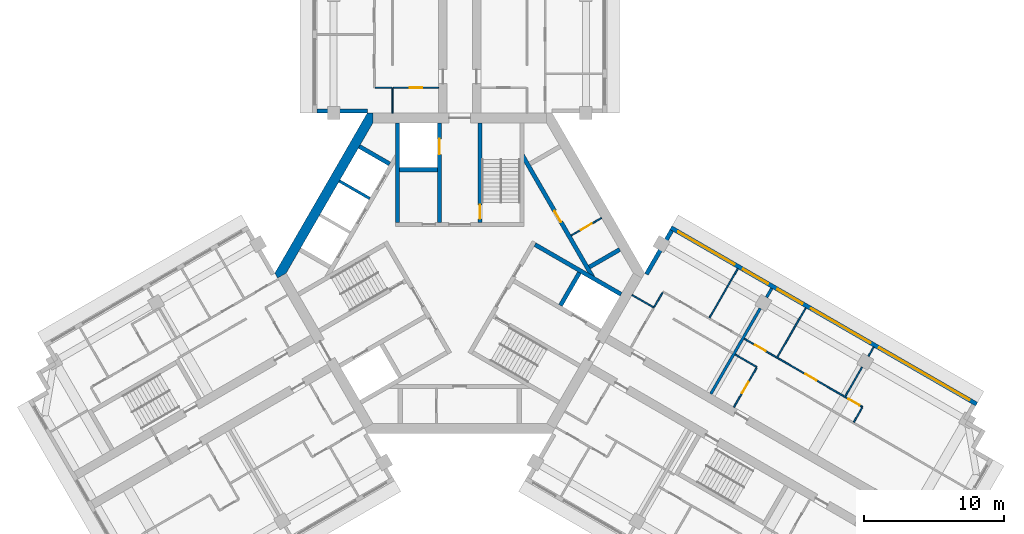
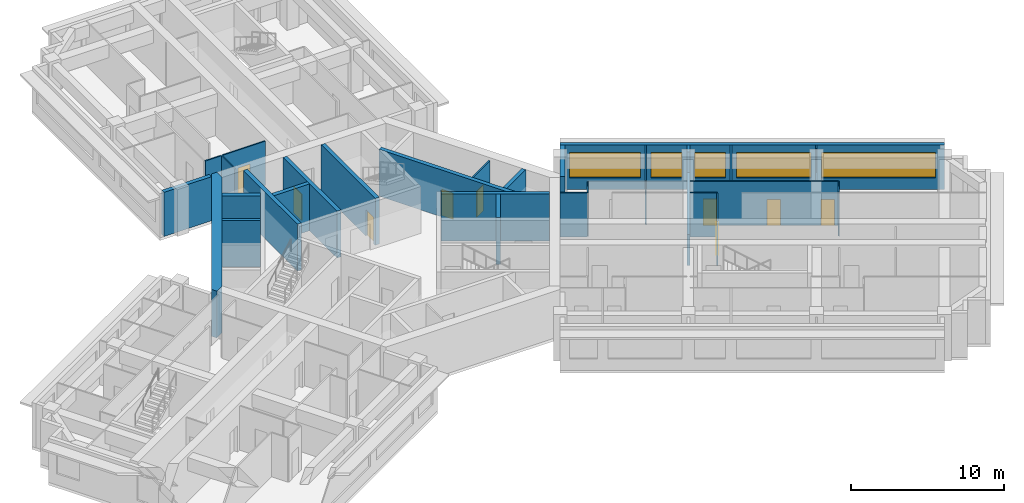
# One storey, part 6 of 10: 30 walls, 9 doors, 5 windows, 14 openings.
"""IFC4 building model written with IfcOpenShell, lengths in metres."""

from ifc_helpers import new_model, si_unit, direction, frame, frame_2d, origin, place, context, subcontext, project, spatial, polyline, rectangle, outline, extrude, material, layer, layer_set, type_object, element, fill, save


model = new_model("IFC4")

# Units and contexts
model_context = context("Model", 3, precision=1e-05, world=origin(), true_north=direction((0.0, 1.0)))
body_context = subcontext(model_context, "Body", "Model", "MODEL_VIEW")
ifc_project = project(units=[si_unit("LENGTHUNIT", "METRE"), si_unit("AREAUNIT", "SQUARE_METRE"), si_unit("VOLUMEUNIT", "CUBIC_METRE"), si_unit("PLANEANGLEUNIT", "RADIAN"), si_unit("MASSUNIT", "GRAM", prefix="KILO")], contexts=[model_context])

# Site, building, storey
site_placement = place(None, origin())
site = spatial("IfcSite", under=ifc_project, at=site_placement, CompositionType="ELEMENT")
building_placement = place(site_placement, origin())
building = spatial("IfcBuilding", under=site, at=building_placement, Name="Impinga Residences", CompositionType="ELEMENT")
storey_placement = place(building_placement, frame((0.0, 0.0, 222.25)))
storey = spatial("IfcBuildingStorey", under=building, at=storey_placement, Name="L55", CompositionType="ELEMENT", Elevation=222.25)

# Wall, opening, door
ifc_material_1 = material(Name="Concrete blockwork", Category="masonry")
ifc_layer_1 = layer(ifc_material_1, 0.10009765625)
ifc_layer_set_1 = layer_set([ifc_layer_1], Name="CP1 core room partition, blockwork 100")
wall_type_1 = type_object("IfcWallType", Name="CP1 core room partition, blockwork 100", PredefinedType="PARTITIONING", material=ifc_layer_set_1)
wall_1_placement = place(storey_placement, frame((7.95361328125, 2.686767578125, 0.0), z_axis=(0.0, 0.0, 1.0), x_axis=(0.866047370643, 0.499961950354, 0.0)))
wall_1 = element("IfcWall", 1, at=wall_1_placement, inside=storey, type_object=wall_type_1, Name="Core room partition, blockwork L55:CORE:mid:ZP1", PredefinedType="PARTITIONING", context=body_context, shape_type="SweptSolid", body=[
    extrude(rectangle(XDim=2.500244140625, YDim=0.10009765625, at=frame_2d((1.25, 0.0))), origin(), (0.0, 0.0, 1.0), 3.530029296875),
])
opening_1_placement = place(wall_1_placement, frame((0.800048828125, 0.0, 0.0)))
opening_1 = element("IfcOpeningElement", 2, at=opening_1_placement, cuts=wall_1, Name="Opening D6", PredefinedType="OPENING", context=body_context, shape_type="SweptSolid", body=[
    extrude(rectangle(XDim=0.89990234375, YDim=2.10009765625, at=frame_2d((0.449951171875, 1.050048828125))), frame((0.0, 0.06005859375, 0.0), z_axis=(0.0, -1.0, 0.0), x_axis=(1.0, 0.0, 0.0)), (0.0, 0.0, 1.0), 0.1201171875),
])
ifc_material_2 = material(Name="Timber door set", Category="wood")
door_type_1 = type_object("IfcDoorType", Name="D6 riser and store door 900x2100", OperationType="SINGLE_SWING_LEFT", PredefinedType="DOOR", material=ifc_material_2)
door_1_placement = place(opening_1_placement, origin())
door_1 = element("IfcDoor", 3, at=door_1_placement, inside=storey, type_object=door_type_1, Name="Linen store door", OperationType="SINGLE_SWING_LEFT", OverallHeight=2.10009765625, OverallWidth=0.89990234375, PredefinedType="DOOR", context=body_context, shape_type="SweptSolid", body=[
    extrude(rectangle(XDim=0.89990234375, YDim=2.10009765625, at=frame_2d((0.449951171875, 1.050048828125))), frame((0.0, 0.02490234375, 0.0), z_axis=(0.0, -1.0, 0.0), x_axis=(1.0, 0.0, 0.0)), (0.0, 0.0, 1.0), 0.050048828125),
])
fill(opening_1, door_1)

# Walls
ifc_material_3 = material(Name="Terracotta rainscreen on blockwork", Category="masonry")
ifc_layer_2 = layer(ifc_material_3, 0.300048828125)
ifc_layer_set_2 = layer_set([ifc_layer_2], Name="EW1 external wall, terracotta rainscreen on blockwork 300")
wall_type_2 = type_object("IfcWallType", Name="EW1 external wall, terracotta rainscreen on blockwork 300", PredefinedType="SOLIDWALL", material=ifc_layer_set_2)
wall_2_placement = place(storey_placement, frame((-6.60009765625, 11.58154296875, 0.0), z_axis=(0.0, 0.0, 1.0), x_axis=(-1.0, 0.0, 0.0)))
element("IfcWall", 4, at=wall_2_placement, inside=storey, type_object=wall_type_2, Name="External wall EW1 L55", PredefinedType="SOLIDWALL", context=body_context, shape_type="SweptSolid", body=[
    extrude(rectangle(XDim=3.599853515625, YDim=0.300048828125, at=frame_2d((1.7998046875, 0.0))), origin(), (0.0, 0.0, 1.0), 3.530029296875),
])
wall_3_placement = place(storey_placement, frame((13.329833984375, -0.074951171875, 0.0), z_axis=(0.0, 0.0, 1.0), x_axis=(0.500012057535, 0.866018442252, 0.0)))
element("IfcWall", 5, at=wall_3_placement, inside=storey, type_object=wall_type_2, Name="External wall EW1 L55", PredefinedType="SOLIDWALL", context=body_context, shape_type="SweptSolid", body=[
    extrude(rectangle(XDim=3.60009765625, YDim=0.300048828125, at=frame_2d((1.800048828125, 0.0))), origin(), (0.0, 0.0, 1.0), 3.530029296875),
])

# Wall, openings, windows
wall_4_placement = place(storey_placement, frame((15.074951171875, 3.24755859375, 0.0), z_axis=(0.0, 0.0, 1.0), x_axis=(0.86602925447, -0.499993330357, 0.0)))
wall_4 = element("IfcWall", 6, at=wall_4_placement, inside=storey, type_object=wall_type_2, Name="External wall EW1 L55", PredefinedType="SOLIDWALL", context=body_context, shape_type="SweptSolid", body=[
    extrude(rectangle(XDim=25.199951171875, YDim=0.300048828125, at=frame_2d((12.60009765625, 0.0))), origin(), (0.0, 0.0, 1.0), 3.530029296875),
])
opening_2_placement = place(wall_4_placement, frame((0.60009765625, 0.0, 0.89990234375)))
opening_2 = element("IfcOpeningElement", 7, at=opening_2_placement, cuts=wall_4, Name="Opening W10", PredefinedType="OPENING", context=body_context, shape_type="SweptSolid", body=[
    extrude(rectangle(XDim=4.64990234375, YDim=2.050048828125, at=frame_2d((2.324951171875, 1.02490234375))), frame((0.0, 0.159912109375, 0.0), z_axis=(0.0, -1.0, 0.0), x_axis=(1.0, 0.0, 0.0)), (0.0, 0.0, 1.0), 0.320068359375),
])
opening_3_placement = place(wall_4_placement, frame((5.949951171875, 0.0, 0.89990234375)))
opening_3 = element("IfcOpeningElement", 8, at=opening_3_placement, cuts=wall_4, Name="Opening W14", PredefinedType="OPENING", context=body_context, shape_type="SweptSolid", body=[
    extrude(rectangle(XDim=2.050048828125, YDim=2.050048828125, at=frame_2d((1.02490234375, 1.02490234375))), frame((0.0, 0.159912109375, 0.0), z_axis=(0.0, -1.0, 0.0), x_axis=(1.0, 0.0, 0.0)), (0.0, 0.0, 1.0), 0.320068359375),
])
opening_4_placement = place(wall_4_placement, frame((8.800048828125, 0.0, 0.89990234375)))
opening_4 = element("IfcOpeningElement", 9, at=opening_4_placement, cuts=wall_4, Name="Opening W14", PredefinedType="OPENING", context=body_context, shape_type="SweptSolid", body=[
    extrude(rectangle(XDim=2.050048828125, YDim=2.050048828125, at=frame_2d((1.02490234375, 1.02490234375))), frame((0.0, 0.159912109375, 0.0), z_axis=(0.0, -1.0, 0.0), x_axis=(1.0, 0.0, 0.0)), (0.0, 0.0, 1.0), 0.320068359375),
])
opening_5_placement = place(wall_4_placement, frame((11.550048828125, 0.0, 0.89990234375)))
opening_5 = element("IfcOpeningElement", 10, at=opening_5_placement, cuts=wall_4, Name="Opening W16", PredefinedType="OPENING", context=body_context, shape_type="SweptSolid", body=[
    extrude(rectangle(XDim=4.89990234375, YDim=2.050048828125, at=frame_2d((2.449951171875, 1.02490234375))), frame((0.0, 0.159912109375, 0.0), z_axis=(0.0, -1.0, 0.0), x_axis=(1.0, 0.0, 0.0)), (0.0, 0.0, 1.0), 0.320068359375),
])
opening_6_placement = place(wall_4_placement, frame((17.14990234375, 0.0, 0.89990234375)))
opening_6 = element("IfcOpeningElement", 11, at=opening_6_placement, cuts=wall_4, Name="Opening W7", PredefinedType="OPENING", context=body_context, shape_type="SweptSolid", body=[
    extrude(rectangle(XDim=7.449951171875, YDim=2.050048828125, at=frame_2d((3.72509765625, 1.02490234375))), frame((0.0, 0.159912109375, 0.0), z_axis=(0.0, -1.0, 0.0), x_axis=(1.0, 0.0, 0.0)), (0.0, 0.0, 1.0), 0.320068359375),
])
ifc_material_4 = material(Name="Aluminium window, clear double glazing", Category="aluminium")
window_type_1 = type_object("IfcWindowType", Name="W10 ribbon window 4650x2050", PartitioningType="SINGLE_PANEL", PredefinedType="WINDOW", material=ifc_material_4)
window_1_placement = place(opening_2_placement, origin())
window_1 = element("IfcWindow", 12, at=window_1_placement, inside=storey, type_object=window_type_1, Name="Window L55", OverallHeight=2.050048828125, OverallWidth=4.64990234375, PartitioningType="SINGLE_PANEL", PredefinedType="WINDOW", context=body_context, shape_type="SweptSolid", body=[
    extrude(rectangle(XDim=4.64990234375, YDim=2.050048828125, at=frame_2d((2.324951171875, 1.02490234375))), frame((0.0, 0.030029296875, 0.0), z_axis=(0.0, -1.0, 0.0), x_axis=(1.0, 0.0, 0.0)), (0.0, 0.0, 1.0), 0.06005859375),
])
fill(opening_2, window_1)
window_type_2 = type_object("IfcWindowType", Name="W14 ribbon window 2050x2050", PartitioningType="SINGLE_PANEL", PredefinedType="WINDOW", material=ifc_material_4)
window_2_placement = place(opening_3_placement, origin())
window_2 = element("IfcWindow", 13, at=window_2_placement, inside=storey, type_object=window_type_2, Name="Window L55", OverallHeight=2.050048828125, OverallWidth=2.050048828125, PartitioningType="SINGLE_PANEL", PredefinedType="WINDOW", context=body_context, shape_type="SweptSolid", body=[
    extrude(rectangle(XDim=2.050048828125, YDim=2.050048828125, at=frame_2d((1.02490234375, 1.02490234375))), frame((0.0, 0.030029296875, 0.0), z_axis=(0.0, -1.0, 0.0), x_axis=(1.0, 0.0, 0.0)), (0.0, 0.0, 1.0), 0.06005859375),
])
fill(opening_3, window_2)
window_3_placement = place(opening_4_placement, origin())
window_3 = element("IfcWindow", 14, at=window_3_placement, inside=storey, type_object=window_type_2, Name="Window L55", OverallHeight=2.050048828125, OverallWidth=2.050048828125, PartitioningType="SINGLE_PANEL", PredefinedType="WINDOW", context=body_context, shape_type="SweptSolid", body=[
    extrude(rectangle(XDim=2.050048828125, YDim=2.050048828125, at=frame_2d((1.02490234375, 1.02490234375))), frame((0.0, 0.030029296875, 0.0), z_axis=(0.0, -1.0, 0.0), x_axis=(1.0, 0.0, 0.0)), (0.0, 0.0, 1.0), 0.06005859375),
])
fill(opening_4, window_3)
window_type_3 = type_object("IfcWindowType", Name="W16 ribbon window 4900x2050", PartitioningType="SINGLE_PANEL", PredefinedType="WINDOW", material=ifc_material_4)
window_4_placement = place(opening_5_placement, origin())
window_4 = element("IfcWindow", 15, at=window_4_placement, inside=storey, type_object=window_type_3, Name="Window L55", OverallHeight=2.050048828125, OverallWidth=4.89990234375, PartitioningType="SINGLE_PANEL", PredefinedType="WINDOW", context=body_context, shape_type="SweptSolid", body=[
    extrude(rectangle(XDim=4.89990234375, YDim=2.050048828125, at=frame_2d((2.449951171875, 1.02490234375))), frame((0.0, 0.030029296875, 0.0), z_axis=(0.0, -1.0, 0.0), x_axis=(1.0, 0.0, 0.0)), (0.0, 0.0, 1.0), 0.06005859375),
])
fill(opening_5, window_4)
window_type_4 = type_object("IfcWindowType", Name="W7 ribbon window 7450x2050", PartitioningType="SINGLE_PANEL", PredefinedType="WINDOW", material=ifc_material_4)
window_5_placement = place(opening_6_placement, origin())
window_5 = element("IfcWindow", 16, at=window_5_placement, inside=storey, type_object=window_type_4, Name="Window L55", OverallHeight=2.050048828125, OverallWidth=7.449951171875, PartitioningType="SINGLE_PANEL", PredefinedType="WINDOW", context=body_context, shape_type="SweptSolid", body=[
    extrude(rectangle(XDim=7.449951171875, YDim=2.050048828125, at=frame_2d((3.72509765625, 1.02490234375))), frame((0.0, 0.030029296875, 0.0), z_axis=(0.0, -1.0, 0.0), x_axis=(1.0, 0.0, 0.0)), (0.0, 0.0, 1.0), 0.06005859375),
])
fill(opening_6, window_5)

# Walls
ifc_material_5 = material(Name="Gypsum board on steel studs", Category="steel")
ifc_layer_3 = layer(ifc_material_5, 0.10009765625)
ifc_layer_set_3 = layer_set([ifc_layer_3], Name="Gypsum board on steel studs")
wall_type_3 = type_object("IfcWallType", Name="IP1 partition 100", PredefinedType="PARTITIONING", material=ifc_layer_set_3)
wall_5_placement = place(storey_placement, frame((-4.800048828125, 11.431640625, 0.0), z_axis=(0.0, 0.0, 1.0), x_axis=(0.0, 1.0, 0.0)))
element("IfcWall", 17, at=wall_5_placement, inside=storey, type_object=wall_type_3, Name="Partition L55-NA1:DIV0", PredefinedType="PARTITIONING", context=body_context, shape_type="SweptSolid", body=[
    extrude(rectangle(XDim=1.7998046875, YDim=0.10009765625, at=frame_2d((0.89990234375, 0.0))), origin(), (0.0, 0.0, 1.0), 3.530029296875),
])
wall_6_placement = place(storey_placement, frame((-4.85009765625, 13.2314453125, 0.0), z_axis=(0.0, 0.0, 1.0), x_axis=(-1.0, 0.0, 0.0)))
element("IfcWall", 18, at=wall_6_placement, inside=storey, type_object=wall_type_3, Name="Partition L55-NA1:SE0", PredefinedType="PARTITIONING", context=body_context, shape_type="SweptSolid", body=[
    extrude(rectangle(XDim=1.199951171875, YDim=0.10009765625, at=frame_2d((0.60009765625, 0.0))), origin(), (0.0, 0.0, 1.0), 3.530029296875),
])

# Wall, opening, door
wall_7_placement = place(storey_placement, frame((-1.5, 13.2314453125, 0.0), z_axis=(0.0, 0.0, 1.0), x_axis=(-1.0, 0.0, 0.0)))
wall_7 = element("IfcWall", 19, at=wall_7_placement, inside=storey, type_object=wall_type_3, Name="Partition L55-NA1:IB1", PredefinedType="PARTITIONING", context=body_context, shape_type="SweptSolid", body=[
    extrude(rectangle(XDim=3.25, YDim=0.10009765625, at=frame_2d((1.625, 0.0))), origin(), (0.0, 0.0, 1.0), 3.530029296875),
])
opening_7_placement = place(wall_7_placement, frame((1.175048828125, 0.0, 0.0)))
opening_7 = element("IfcOpeningElement", 20, at=opening_7_placement, cuts=wall_7, Name="Opening D2", PredefinedType="OPENING", context=body_context, shape_type="SweptSolid", body=[
    extrude(rectangle(XDim=0.89990234375, YDim=2.10009765625, at=frame_2d((0.449951171875, 1.050048828125))), frame((0.0, 0.06005859375, 0.0), z_axis=(0.0, -1.0, 0.0), x_axis=(1.0, 0.0, 0.0)), (0.0, 0.0, 1.0), 0.1201171875),
])
door_type_2 = type_object("IfcDoorType", Name="D2 internal door 900x2100", OperationType="SINGLE_SWING_LEFT", PredefinedType="DOOR", material=ifc_material_2)
door_2_placement = place(opening_7_placement, origin())
door_2 = element("IfcDoor", 21, at=door_2_placement, inside=storey, type_object=door_type_2, Name="Apartment L55-NA1 bathroom door", OperationType="SINGLE_SWING_LEFT", OverallHeight=2.10009765625, OverallWidth=0.89990234375, PredefinedType="DOOR", context=body_context, shape_type="SweptSolid", body=[
    extrude(rectangle(XDim=0.89990234375, YDim=2.10009765625, at=frame_2d((0.449951171875, 1.050048828125))), frame((0.0, 0.02490234375, 0.0), z_axis=(0.0, -1.0, 0.0), x_axis=(1.0, 0.0, 0.0)), (0.0, 0.0, 1.0), 0.050048828125),
])
fill(opening_7, door_2)

# Walls
wall_8_placement = place(storey_placement, frame((12.300048828125, -1.558837890625, 0.0), z_axis=(0.0, 0.0, 1.0), x_axis=(0.866047807691, -0.499961193289, 0.0)))
element("IfcWall", 22, at=wall_8_placement, inside=storey, type_object=wall_type_3, Name="Partition L55-EA1:DIV0", PredefinedType="PARTITIONING", context=body_context, shape_type="SweptSolid", body=[
    extrude(rectangle(XDim=1.800048828125, YDim=0.10009765625, at=frame_2d((0.89990234375, 0.0))), origin(), (0.0, 0.0, 1.0), 3.530029296875),
])
wall_9_placement = place(storey_placement, frame((13.8837890625, -2.41552734375, 0.0), z_axis=(0.0, 0.0, 1.0), x_axis=(0.500033551112, 0.866006032174, 0.0)))
element("IfcWall", 23, at=wall_9_placement, inside=storey, type_object=wall_type_3, Name="Partition L55-EA1:SE0", PredefinedType="PARTITIONING", context=body_context, shape_type="SweptSolid", body=[
    extrude(rectangle(XDim=1.2001953125, YDim=0.10009765625, at=frame_2d((0.60009765625, 0.0))), origin(), (0.0, 0.0, 1.0), 3.530029296875),
])
wall_10_placement = place(storey_placement, frame((17.82470703125, -3.189697265625, 0.0), z_axis=(0.0, 0.0, 1.0), x_axis=(0.500035537042, 0.866004885491, 0.0)))
element("IfcWall", 24, at=wall_10_placement, inside=storey, type_object=wall_type_3, Name="Partition L55-EA1:OB1", PredefinedType="PARTITIONING", context=body_context, shape_type="SweptSolid", body=[
    extrude(rectangle(XDim=4.050048828125, YDim=0.10009765625, at=frame_2d((2.02490234375, 0.0))), origin(), (0.0, 0.0, 1.0), 3.530029296875),
])
wall_11_placement = place(storey_placement, frame((19.6611328125, -5.808837890625, 0.0), z_axis=(0.0, 0.0, 1.0), x_axis=(0.866047807691, -0.499961193289, 0.0)))
element("IfcWall", 25, at=wall_11_placement, inside=storey, type_object=wall_type_3, Name="Partition L55-EA2:DIV0", PredefinedType="PARTITIONING", context=body_context, shape_type="SweptSolid", body=[
    extrude(rectangle(XDim=1.800048828125, YDim=0.10009765625, at=frame_2d((0.89990234375, 0.0))), origin(), (0.0, 0.0, 1.0), 3.530029296875),
])

# Wall, openings, doors
wall_12_placement = place(storey_placement, frame((20.311279296875, -4.68310546875, 0.0), z_axis=(0.0, 0.0, 1.0), x_axis=(0.866021707014, -0.500006402939, 0.0)))
wall_12 = element("IfcWall", 26, at=wall_12_placement, inside=storey, type_object=wall_type_3, Name="Partition L55-EA2:STRIP", PredefinedType="PARTITIONING", context=body_context, shape_type="SweptSolid", body=[
    extrude(rectangle(XDim=9.749755859375, YDim=0.10009765625, at=frame_2d((4.875, 0.0))), origin(), (0.0, 0.0, 1.0), 3.530029296875),
])
opening_8_placement = place(wall_12_placement, frame((0.875, 0.0, 0.0)))
opening_8 = element("IfcOpeningElement", 27, at=opening_8_placement, cuts=wall_12, Name="Opening D2", PredefinedType="OPENING", context=body_context, shape_type="SweptSolid", body=[
    extrude(rectangle(XDim=0.89990234375, YDim=2.10009765625, at=frame_2d((0.449951171875, 1.050048828125))), frame((0.0, 0.06005859375, 0.0), z_axis=(0.0, -1.0, 0.0), x_axis=(1.0, 0.0, 0.0)), (0.0, 0.0, 1.0), 0.1201171875),
])
opening_9_placement = place(wall_12_placement, frame((5.050048828125, 0.0, 0.0)))
opening_9 = element("IfcOpeningElement", 28, at=opening_9_placement, cuts=wall_12, Name="Opening D2", PredefinedType="OPENING", context=body_context, shape_type="SweptSolid", body=[
    extrude(rectangle(XDim=0.89990234375, YDim=2.10009765625, at=frame_2d((0.449951171875, 1.050048828125))), frame((0.0, 0.06005859375, 0.0), z_axis=(0.0, -1.0, 0.0), x_axis=(1.0, 0.0, 0.0)), (0.0, 0.0, 1.0), 0.1201171875),
])
opening_10_placement = place(wall_12_placement, frame((8.60009765625, 0.0, 0.0)))
opening_10 = element("IfcOpeningElement", 29, at=opening_10_placement, cuts=wall_12, Name="Opening D2", PredefinedType="OPENING", context=body_context, shape_type="SweptSolid", body=[
    extrude(rectangle(XDim=0.89990234375, YDim=2.10009765625, at=frame_2d((0.449951171875, 1.050048828125))), frame((0.0, 0.06005859375, 0.0), z_axis=(0.0, -1.0, 0.0), x_axis=(1.0, 0.0, 0.0)), (0.0, 0.0, 1.0), 0.1201171875),
])
door_3_placement = place(opening_8_placement, origin())
door_3 = element("IfcDoor", 30, at=door_3_placement, inside=storey, type_object=door_type_2, Name="Apartment L55-EA2 room door", OperationType="SINGLE_SWING_LEFT", OverallHeight=2.10009765625, OverallWidth=0.89990234375, PredefinedType="DOOR", context=body_context, shape_type="SweptSolid", body=[
    extrude(rectangle(XDim=0.89990234375, YDim=2.10009765625, at=frame_2d((0.449951171875, 1.050048828125))), frame((0.0, 0.02490234375, 0.0), z_axis=(0.0, -1.0, 0.0), x_axis=(1.0, 0.0, 0.0)), (0.0, 0.0, 1.0), 0.050048828125),
])
fill(opening_8, door_3)
door_4_placement = place(opening_9_placement, origin())
door_4 = element("IfcDoor", 31, at=door_4_placement, inside=storey, type_object=door_type_2, Name="Apartment L55-EA2 room door", OperationType="SINGLE_SWING_RIGHT", OverallHeight=2.10009765625, OverallWidth=0.89990234375, PredefinedType="DOOR", context=body_context, shape_type="SweptSolid", body=[
    extrude(rectangle(XDim=0.89990234375, YDim=2.10009765625, at=frame_2d((0.449951171875, 1.050048828125))), frame((0.0, 0.02490234375, 0.0), z_axis=(0.0, -1.0, 0.0), x_axis=(1.0, 0.0, 0.0)), (0.0, 0.0, 1.0), 0.050048828125),
])
fill(opening_9, door_4)
door_5_placement = place(opening_10_placement, origin())
door_5 = element("IfcDoor", 32, at=door_5_placement, inside=storey, type_object=door_type_2, Name="Apartment L55-EA2 room door", OperationType="SINGLE_SWING_RIGHT", OverallHeight=2.10009765625, OverallWidth=0.89990234375, PredefinedType="DOOR", context=body_context, shape_type="SweptSolid", body=[
    extrude(rectangle(XDim=0.89990234375, YDim=2.10009765625, at=frame_2d((0.449951171875, 1.050048828125))), frame((0.0, 0.02490234375, 0.0), z_axis=(0.0, -1.0, 0.0), x_axis=(1.0, 0.0, 0.0)), (0.0, 0.0, 1.0), 0.050048828125),
])
fill(opening_10, door_5)

# Wall
wall_13_placement = place(storey_placement, frame((28.1298828125, -10.640625, 0.0), z_axis=(0.0, 0.0, 1.0), x_axis=(0.500033551112, 0.866006032174, 0.0)))
element("IfcWall", 33, at=wall_13_placement, inside=storey, type_object=wall_type_3, Name="Partition L55-EA2:SE1", PredefinedType="PARTITIONING", context=body_context, shape_type="SweptSolid", body=[
    extrude(rectangle(XDim=1.2001953125, YDim=0.10009765625, at=frame_2d((0.60009765625, 0.0))), origin(), (0.0, 0.0, 1.0), 3.530029296875),
])

# Wall, opening, door
wall_14_placement = place(storey_placement, frame((19.570068359375, -9.566650390625, 0.0), z_axis=(0.0, 0.0, 1.0), x_axis=(0.500017246033, 0.866015446554, 0.0)))
wall_14 = element("IfcWall", 34, at=wall_14_placement, inside=storey, type_object=wall_type_3, Name="Partition L55-EA2:IB1", PredefinedType="PARTITIONING", context=body_context, shape_type="SweptSolid", body=[
    extrude(rectangle(XDim=3.25, YDim=0.10009765625, at=frame_2d((1.625, 0.0))), origin(), (0.0, 0.0, 1.0), 3.530029296875),
])
opening_11_placement = place(wall_14_placement, frame((1.175048828125, 0.0, 0.0)))
opening_11 = element("IfcOpeningElement", 35, at=opening_11_placement, cuts=wall_14, Name="Opening D2", PredefinedType="OPENING", context=body_context, shape_type="SweptSolid", body=[
    extrude(rectangle(XDim=0.89990234375, YDim=2.10009765625, at=frame_2d((0.449951171875, 1.050048828125))), frame((0.0, 0.06005859375, 0.0), z_axis=(0.0, -1.0, 0.0), x_axis=(1.0, 0.0, 0.0)), (0.0, 0.0, 1.0), 0.1201171875),
])
door_6_placement = place(opening_11_placement, origin())
door_6 = element("IfcDoor", 36, at=door_6_placement, inside=storey, type_object=door_type_2, Name="Apartment L55-EA2 bathroom door", OperationType="SINGLE_SWING_LEFT", OverallHeight=2.10009765625, OverallWidth=0.89990234375, PredefinedType="DOOR", context=body_context, shape_type="SweptSolid", body=[
    extrude(rectangle(XDim=0.89990234375, YDim=2.10009765625, at=frame_2d((0.449951171875, 1.050048828125))), frame((0.0, 0.02490234375, 0.0), z_axis=(0.0, -1.0, 0.0), x_axis=(1.0, 0.0, 0.0)), (0.0, 0.0, 1.0), 0.050048828125),
])
fill(opening_11, door_6)

# Walls
wall_15_placement = place(storey_placement, frame((22.674560546875, -5.98974609375, 0.0), z_axis=(0.0, 0.0, 1.0), x_axis=(0.499990325971, 0.866030989016, 0.0)))
element("IfcWall", 37, at=wall_15_placement, inside=storey, type_object=wall_type_3, Name="Partition L55-EA2:OB1", PredefinedType="PARTITIONING", context=body_context, shape_type="SweptSolid", body=[
    extrude(rectangle(XDim=4.0498046875, YDim=0.10009765625, at=frame_2d((2.02490234375, 0.0))), origin(), (0.0, 0.0, 1.0), 3.530029296875),
])
wall_16_placement = place(storey_placement, frame((27.524169921875, -8.789794921875, 0.0), z_axis=(0.0, 0.0, 1.0), x_axis=(0.499957262057, 0.866050077142, 0.0)))
element("IfcWall", 38, at=wall_16_placement, inside=storey, type_object=wall_type_3, Name="Partition L55-EA2:OB2", PredefinedType="PARTITIONING", context=body_context, shape_type="SweptSolid", body=[
    extrude(rectangle(XDim=2.400146484375, YDim=0.10009765625, at=frame_2d((1.2001953125, 0.0))), origin(), (0.0, 0.0, 1.0), 2.47998046875),
])
wall_17_placement = place(storey_placement, frame((29.17431640625, -5.931884765625, 0.0), z_axis=(0.0, 0.0, 1.0), x_axis=(0.499919672301, 0.866071776036, 0.0)))
element("IfcWall", 39, at=wall_17_placement, inside=storey, type_object=wall_type_3, Name="Partition L55-EA2:OB2b", PredefinedType="PARTITIONING", context=body_context, shape_type="SweptSolid", body=[
    extrude(rectangle(XDim=0.75, YDim=0.10009765625, at=frame_2d((0.375, 0.0))), origin(), (0.0, 0.0, 1.0), 3.530029296875),
])
ifc_layer_4 = layer(ifc_material_1, 0.199951171875)
ifc_layer_set_4 = layer_set([ifc_layer_4], Name="PW1 party wall between apartments 200")
wall_type_4 = type_object("IfcWallType", Name="PW1 party wall between apartments 200", PredefinedType="SOLIDWALL", material=ifc_layer_set_4)
wall_18_placement = place(storey_placement, frame((17.924560546875, -8.61669921875, 0.0), z_axis=(0.0, 0.0, 1.0), x_axis=(0.500016218704, 0.866016039709, 0.0)))
element("IfcWall", 40, at=wall_18_placement, inside=storey, type_object=wall_type_4, Name="Party wall between apartments L55-EA1:PARTY", PredefinedType="SOLIDWALL", context=body_context, shape_type="SweptSolid", body=[
    extrude(rectangle(XDim=7.050048828125, YDim=0.199951171875, at=frame_2d((3.52490234375, 0.0))), origin(), (0.0, 0.0, 1.0), 2.47998046875),
])
wall_19_placement = place(storey_placement, frame((21.899658203125, -1.73193359375, 0.0), z_axis=(0.0, 0.0, 1.0), x_axis=(0.499919672301, 0.866071776036, 0.0)))
element("IfcWall", 41, at=wall_19_placement, inside=storey, type_object=wall_type_4, Name="Party wall between apartments L55-EA1:PARTYb", PredefinedType="SOLIDWALL", context=body_context, shape_type="SweptSolid", body=[
    extrude(rectangle(XDim=0.75, YDim=0.199951171875, at=frame_2d((0.375, 0.0))), origin(), (0.0, 0.0, 1.0), 3.530029296875),
])
ifc_material_6 = material(Name="Concrete C60/75", Category="concrete")
ifc_layer_5 = layer(ifc_material_6, 0.699951171875)
ifc_layer_set_5 = layer_set([ifc_layer_5], Name="Concrete C60/75")
wall_type_5 = type_object("IfcWallType", Name="SW3 core wall 700", PredefinedType="SHEAR", material=ifc_layer_set_5)
wall_20_placement = place(storey_placement, origin())
element("IfcWall", 42, at=wall_20_placement, inside=storey, type_object=wall_type_5, Name="Core wall SW3 E:EXPOSED L55", PredefinedType="SHEAR", context=body_context, shape_type="SweptSolid", body=[
    extrude(outline(polyline([(-6.60009765625, 11.431640625), (-13.199951171875, 0.0), (-12.998046875, -0.35009765625), (-12.3916015625, 0.0), (-6.19580078125, 10.7314453125), (-6.19580078125, 11.431640625), (-6.60009765625, 11.431640625)])), origin(), (0.0, 0.0, 1.0), 3.75),
])

# Wall, opening, door
ifc_material_7 = material(Name="Concrete C70/85", Category="concrete")
ifc_layer_6 = layer(ifc_material_7, 0.300048828125)
ifc_layer_set_6 = layer_set([ifc_layer_6], Name="Concrete C70/85")
wall_type_6 = type_object("IfcWallType", Name="SW5 core inner wall, stairs, shafts and lobbies 300", PredefinedType="SHEAR", material=ifc_layer_set_6)
wall_21_placement = place(storey_placement, frame((1.449951171875, 3.6298828125, 0.0), z_axis=(0.0, 0.0, 1.0), x_axis=(0.0, 1.0, 0.0)))
wall_21 = element("IfcWall", 43, at=wall_21_placement, inside=storey, type_object=wall_type_6, Name="Core wall SW5 N:ST-IN L55", PredefinedType="SHEAR", context=body_context, shape_type="SweptSolid", body=[
    extrude(rectangle(XDim=7.1015625, YDim=0.300048828125, at=frame_2d((3.55078125, 0.0))), origin(), (0.0, 0.0, 1.0), 3.75),
])
opening_12_placement = place(wall_21_placement, frame((0.25, 0.0, 0.0)))
opening_12 = element("IfcOpeningElement", 44, at=opening_12_placement, cuts=wall_21, Name="Opening D5", PredefinedType="OPENING", context=body_context, shape_type="SweptSolid", body=[
    extrude(rectangle(XDim=1.0, YDim=2.10009765625, at=frame_2d((0.5, 1.050048828125))), frame((0.0, 0.159912109375, 0.0), z_axis=(0.0, -1.0, 0.0), x_axis=(1.0, 0.0, 0.0)), (0.0, 0.0, 1.0), 0.320068359375),
])
door_type_3 = type_object("IfcDoorType", Name="D5 stair door 1000x2100", OperationType="SINGLE_SWING_LEFT", PredefinedType="DOOR", material=ifc_material_2)
door_7_placement = place(opening_12_placement, origin())
door_7 = element("IfcDoor", 45, at=door_7_placement, inside=storey, type_object=door_type_3, Name="Stair door N", OperationType="SINGLE_SWING_LEFT", OverallHeight=2.10009765625, OverallWidth=1.0, PredefinedType="DOOR", context=body_context, shape_type="SweptSolid", body=[
    extrude(rectangle(XDim=1.0, YDim=2.10009765625, at=frame_2d((0.5, 1.050048828125))), frame((0.0, 0.02490234375, 0.0), z_axis=(0.0, -1.0, 0.0), x_axis=(1.0, 0.0, 0.0)), (0.0, 0.0, 1.0), 0.050048828125),
])
fill(opening_12, door_7)

wall_22_placement = place(storey_placement, frame((-1.449951171875, 3.6298828125, 0.0), z_axis=(0.0, 0.0, 1.0), x_axis=(0.0, 1.0, 0.0)))
wall_22 = element("IfcWall", 46, at=wall_22_placement, inside=storey, type_object=wall_type_6, Name="Core wall SW5 N:FF-IN L55", PredefinedType="SHEAR", context=body_context, shape_type="SweptSolid", body=[
    extrude(rectangle(XDim=7.1015625, YDim=0.300048828125, at=frame_2d((3.55078125, 0.0))), origin(), (0.0, 0.0, 1.0), 3.75),
])
opening_13_placement = place(wall_22_placement, frame((4.85009765625, 0.0, 0.0)))
opening_13 = element("IfcOpeningElement", 47, at=opening_13_placement, cuts=wall_22, Name="Opening LD2", PredefinedType="OPENING", context=body_context, shape_type="SweptSolid", body=[
    extrude(rectangle(XDim=1.10009765625, YDim=2.10009765625, at=frame_2d((0.550048828125, 1.050048828125))), frame((0.0, 0.159912109375, 0.0), z_axis=(0.0, -1.0, 0.0), x_axis=(1.0, 0.0, 0.0)), (0.0, 0.0, 1.0), 0.320068359375),
])
ifc_material_8 = material(Name="Steel lift landing door", Category="steel")
door_type_4 = type_object("IfcDoorType", Name="LD2 firefighting lift landing door 1100x2100", OperationType="DOUBLE_DOOR_SLIDING", PredefinedType="DOOR", material=ifc_material_8)
door_8_placement = place(opening_13_placement, origin())
door_8 = element("IfcDoor", 48, at=door_8_placement, inside=storey, type_object=door_type_4, Name="Firefighting lift landing door F1", OperationType="DOUBLE_DOOR_SLIDING", OverallHeight=2.10009765625, OverallWidth=1.10009765625, PredefinedType="DOOR", context=body_context, shape_type="SweptSolid", body=[
    extrude(rectangle(XDim=1.10009765625, YDim=2.10009765625, at=frame_2d((0.550048828125, 1.050048828125))), frame((0.0, 0.02490234375, 0.0), z_axis=(0.0, -1.0, 0.0), x_axis=(1.0, 0.0, 0.0)), (0.0, 0.0, 1.0), 0.050048828125),
])
fill(opening_13, door_8)

# Walls
wall_23_placement = place(storey_placement, frame((-4.449951171875, 3.6298828125, 0.0), z_axis=(0.0, 0.0, 1.0), x_axis=(0.0, 1.0, 0.0)))
element("IfcWall", 49, at=wall_23_placement, inside=storey, type_object=wall_type_6, Name="Core wall SW5 N:FF-OUT L55", PredefinedType="SHEAR", context=body_context, shape_type="SweptSolid", body=[
    extrude(rectangle(XDim=7.1015625, YDim=0.300048828125, at=frame_2d((3.55078125, 0.0))), origin(), (0.0, 0.0, 1.0), 3.75),
])
wall_24_placement = place(storey_placement, frame((-4.300048828125, 7.3798828125, 0.0), z_axis=(0.0, 0.0, 1.0), x_axis=(1.0, 0.0, 0.0)))
element("IfcWall", 50, at=wall_24_placement, inside=storey, type_object=wall_type_6, Name="Core wall SW5 N:FF-RS L55", PredefinedType="SHEAR", context=body_context, shape_type="SweptSolid", body=[
    extrude(rectangle(XDim=2.699951171875, YDim=0.300048828125, at=frame_2d((1.35009765625, 0.0))), origin(), (0.0, 0.0, 1.0), 3.75),
])
wall_25_placement = place(storey_placement, frame((5.36865234375, 2.038818359375, 0.0), z_axis=(0.0, 0.0, 1.0), x_axis=(0.866025859768, -0.499999210213, 0.0)))
element("IfcWall", 51, at=wall_25_placement, inside=storey, type_object=wall_type_6, Name="Core wall SW5 E:FF-OUT L55", PredefinedType="SHEAR", context=body_context, shape_type="SweptSolid", body=[
    extrude(rectangle(XDim=7.1015625, YDim=0.300048828125, at=frame_2d((3.55078125, 0.0))), origin(), (0.0, 0.0, 1.0), 3.75),
])
wall_26_placement = place(storey_placement, frame((8.541259765625, 0.033935546875, 0.0), z_axis=(0.0, 0.0, 1.0), x_axis=(-0.50000943426, -0.866019956843, 0.0)))
element("IfcWall", 52, at=wall_26_placement, inside=storey, type_object=wall_type_6, Name="Core wall SW5 E:FF-RS L55", PredefinedType="SHEAR", context=body_context, shape_type="SweptSolid", body=[
    extrude(rectangle(XDim=2.7001953125, YDim=0.300048828125, at=frame_2d((1.35009765625, 0.0))), origin(), (0.0, 0.0, 1.0), 3.75),
])

# Wall, opening, door
wall_27_placement = place(storey_placement, frame((4.449951171875, 8.455322265625, 0.0), z_axis=(0.0, 0.0, 1.0), x_axis=(0.500002290144, -0.866024081565, 0.0)))
wall_27 = element("IfcWall", 53, at=wall_27_placement, inside=storey, type_object=wall_type_6, Name="Core wall SW5 W:BANK-FRONT L55", PredefinedType="SHEAR", context=body_context, shape_type="SweptSolid", body=[
    extrude(rectangle(XDim=10.1953125, YDim=0.300048828125, at=frame_2d((5.09765625, 0.0))), origin(), (0.0, 0.0, 1.0), 3.75),
])
opening_14_placement = place(wall_27_placement, frame((4.647705078125, 0.0, 0.0)))
opening_14 = element("IfcOpeningElement", 54, at=opening_14_placement, cuts=wall_27, Name="Opening D6", PredefinedType="OPENING", context=body_context, shape_type="SweptSolid", body=[
    extrude(rectangle(XDim=0.89990234375, YDim=2.10009765625, at=frame_2d((0.449951171875, 1.050048828125))), frame((0.0, 0.159912109375, 0.0), z_axis=(0.0, -1.0, 0.0), x_axis=(1.0, 0.0, 0.0)), (0.0, 0.0, 1.0), 0.320068359375),
])
door_9_placement = place(opening_14_placement, origin())
door_9 = element("IfcDoor", 55, at=door_9_placement, inside=storey, type_object=door_type_1, Name="Housekeeping store door", OperationType="SINGLE_SWING_RIGHT", OverallHeight=2.10009765625, OverallWidth=0.89990234375, PredefinedType="DOOR", context=body_context, shape_type="SweptSolid", body=[
    extrude(rectangle(XDim=0.89990234375, YDim=2.10009765625, at=frame_2d((0.449951171875, 1.050048828125))), frame((0.0, 0.02490234375, 0.0), z_axis=(0.0, -1.0, 0.0), x_axis=(1.0, 0.0, 0.0)), (0.0, 0.0, 1.0), 0.050048828125),
])
fill(opening_14, door_9)

# Walls
for number, where, z_axis, x_axis, name in (
    (56, (9.253662109375, 0.43505859375, 0.0), (0.0, 0.0, 1.0), (0.866022959057, 0.500004234368, 0.0), "Core wall SW5 W:BANK-R L55"),
    (57, (-5.003662109375, 7.79638671875, 0.0), (0.0, 0.0, 1.0), (-0.866022959057, 0.500004234368, 0.0), "Core wall SW5 E:BANK-R L55"),
):
    element("IfcWall", number, at=place(storey_placement, frame(where, z_axis=z_axis, x_axis=x_axis)), inside=storey, type_object=wall_type_6, Name=name, PredefinedType="SHEAR", context=body_context, shape_type="SweptSolid", body=[
        extrude(rectangle(XDim=2.5, YDim=0.300048828125, at=frame_2d((1.25, 0.0))), origin(), (0.0, 0.0, 1.0), 3.75),
    ])
ifc_layer_7 = layer(ifc_material_7, 0.199951171875)
ifc_layer_set_7 = layer_set([ifc_layer_7], Name="Concrete C70/85")
wall_type_7 = type_object("IfcWallType", Name="SW6 lift shaft divider wall 200", PredefinedType="SHEAR", material=ifc_layer_set_7)
wall_28_placement = place(storey_placement, frame((-6.4287109375, 5.328125, 0.0), z_axis=(0.0, 0.0, 1.0), x_axis=(-0.866022959057, 0.500004234368, 0.0)))
element("IfcWall", 58, at=wall_28_placement, inside=storey, type_object=wall_type_7, Name="Core wall SW6 E:BANK-D2 L55", PredefinedType="SHEAR", context=body_context, shape_type="SweptSolid", body=[
    extrude(rectangle(XDim=2.5, YDim=0.199951171875, at=frame_2d((1.25, 0.0))), origin(), (0.0, 0.0, 1.0), 3.75),
])

save(model, "model.ifc")
